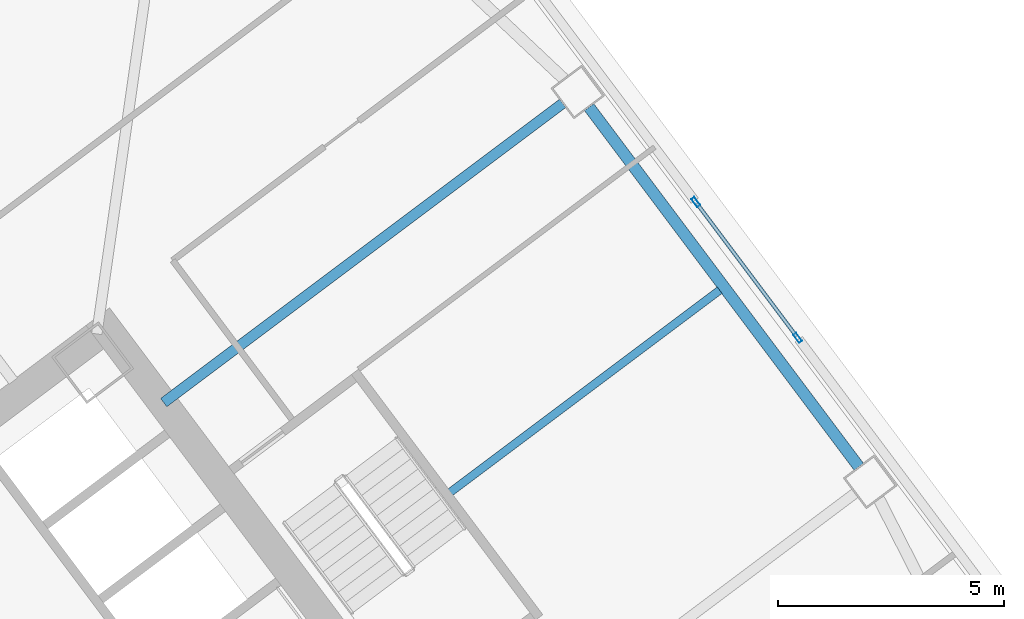
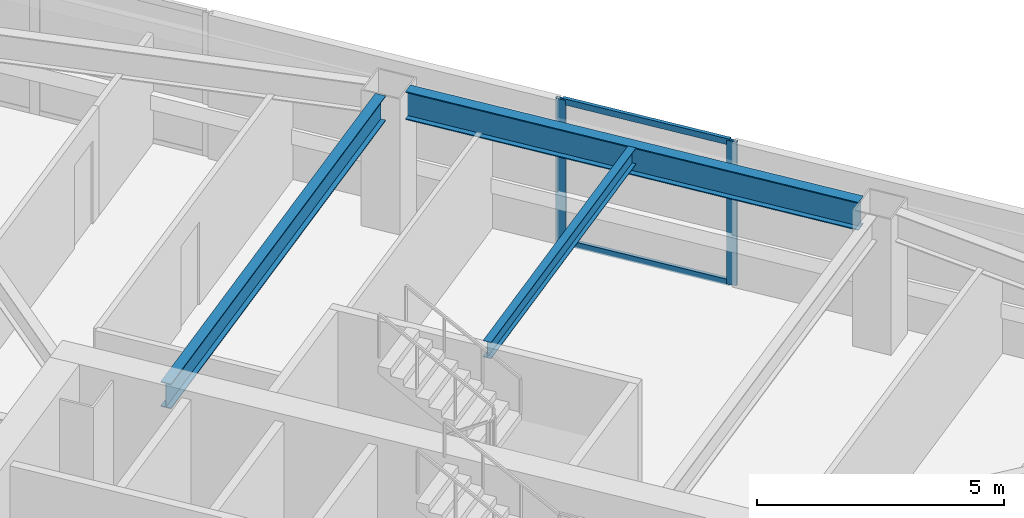
# One storey, part 29 of 44: 4 members, 3 beams, 1 element without a shape of its own.
"""IFC4 building model written with IfcOpenShell, lengths in metres."""

from ifc_helpers import new_model, si_unit, direction, frame, origin, origin_2d, place, context, subcontext, project, spatial, hollow_rectangle, i_section, extrude, material, material_profile, profile_set, type_object, element, aggregate, save


model = new_model("IFC4")

# Units and contexts
model_context = context("Model", 3, precision=1e-05, world=origin(), true_north=direction((0.0, 1.0)))
body_context = subcontext(model_context, "Body", "Model", "MODEL_VIEW")
ifc_project = project(units=[si_unit("LENGTHUNIT", "METRE"), si_unit("AREAUNIT", "SQUARE_METRE"), si_unit("VOLUMEUNIT", "CUBIC_METRE"), si_unit("PLANEANGLEUNIT", "RADIAN"), si_unit("MASSUNIT", "GRAM", prefix="KILO")], contexts=[model_context])

# Site, building, storey
site_placement = place(None, origin())
site = spatial("IfcSite", under=ifc_project, at=site_placement, CompositionType="ELEMENT")
building_placement = place(site_placement, origin())
building = spatial("IfcBuilding", under=site, at=building_placement, Name="Tashvorn Skyway Center", CompositionType="ELEMENT")
storey_placement = place(building_placement, frame((0.0, 0.0, 92.050048828125)))
storey = spatial("IfcBuildingStorey", under=building, at=storey_placement, Name="L24", CompositionType="ELEMENT", Elevation=92.050048828125)

# Beams
ifc_material_1 = material(Name="Steel ASTM A992 Grade 50", Category="steel")
ifc_material_profile_1 = material_profile(ifc_material_1, i_section(OverallWidth=0.22998046875, OverallDepth=0.616943359375, WebThickness=0.01318359375, FlangeThickness=0.022216796875, at=origin_2d()), Name="W24X94")
ifc_profile_set_1 = profile_set([ifc_material_profile_1], Name="Steel ASTM A992 Grade 50")
beam_type_1 = type_object("IfcBeamType", Name="BM-BEAM-W24X94", PredefinedType="BEAM", material=ifc_profile_set_1)
beam_1_placement = place(storey_placement, frame((125.823974609375, 47.617919921875, 3.04150390625), z_axis=(-0.800007953832, -0.599989394744, 0.0), x_axis=(0.599989394744, -0.800007953832, 0.0)))
element("IfcBeam", 1, at=beam_1_placement, inside=storey, type_object=beam_type_1, Name="Tower 2 L24 Primary Floor Girder FC-E2", PredefinedType="BEAM", context=body_context, shape_type="SweptSolid", body=[
    extrude(i_section(OverallWidth=0.22998046875, OverallDepth=0.616943359375, WebThickness=0.01318359375, FlangeThickness=0.022216796875, at=origin_2d()), origin(), (0.0, 0.0, 1.0), 11.050048828125),
])
ifc_material_profile_2 = material_profile(ifc_material_1, i_section(OverallWidth=0.177978515625, OverallDepth=0.406005859375, WebThickness=0.0078125, FlangeThickness=0.0126953125, at=origin_2d()), Name="W16X40")
ifc_profile_set_2 = profile_set([ifc_material_profile_2], Name="Steel ASTM A992 Grade 50")
beam_type_2 = type_object("IfcBeamType", Name="BM-JOIST-W16X40", PredefinedType="JOIST", material=ifc_profile_set_2)
beam_2_placement = place(storey_placement, frame((123.3359375, 39.001953125, 3.14697265625), z_axis=(0.799996072819, 0.600005236206, 0.0), x_axis=(-0.600005236206, 0.799996072819, 0.0)))
element("IfcBeam", 2, at=beam_2_placement, inside=storey, type_object=beam_type_2, Name="Tower 2 L24 Secondary Composite Joist JE", PredefinedType="JOIST", context=body_context, shape_type="SweptSolid", body=[
    extrude(i_section(OverallWidth=0.177978515625, OverallDepth=0.406005859375, WebThickness=0.0078125, FlangeThickness=0.0126953125, at=origin_2d()), origin(), (0.0, 0.0, 1.0), 7.4599609375),
])
ifc_material_profile_3 = material_profile(ifc_material_1, i_section(OverallWidth=0.256103515625, OverallDepth=0.693115234375, WebThickness=0.014404296875, FlangeThickness=0.023681640625, at=origin_2d()), Name="W27X114")
ifc_profile_set_3 = profile_set([ifc_material_profile_3], Name="Steel ASTM A992 Grade 50")
beam_type_3 = type_object("IfcBeamType", Name="BM-SPANDREL-W27X114", PredefinedType="SPANDREL", material=ifc_profile_set_3)
beam_3_placement = place(storey_placement, frame((132.387939453125, 39.56591796875, 3.00341796875), z_axis=(-0.599988234018, 0.800008824351, 0.0), x_axis=(-0.800008824351, -0.599988234018, 0.0)))
element("IfcBeam", 3, at=beam_3_placement, inside=storey, type_object=beam_type_3, Name="Tower 2 L24 Spandrel Beam 05", PredefinedType="SPANDREL", context=body_context, shape_type="SweptSolid", body=[
    extrude(i_section(OverallWidth=0.256103515625, OverallDepth=0.693115234375, WebThickness=0.014404296875, FlangeThickness=0.023681640625, at=origin_2d()), origin(), (0.0, 0.0, 1.0), 9.9599609375),
])

# Curtain wall, members
ifc_material_2 = material(Name="Thermally broken bronze-anodized aluminium 6063-T6", Category="aluminium")
curtain_wall_type = type_object("IfcCurtainWallType", Name="CW-CW-Z2", PredefinedType="NOTDEFINED", material=ifc_material_2)
curtain_wall_placement = place(storey_placement, origin())
curtain_wall = element("IfcCurtainWall", 4, at=curtain_wall_placement, inside=storey, type_object=curtain_wall_type, Name="Tower 2 L24 East Unitised Curtain Wall Glazing Group 2", PredefinedType="NOTDEFINED")
ifc_material_profile_4 = material_profile(ifc_material_2, hollow_rectangle(XDim=0.080078125, YDim=0.219970703125, WallThickness=0.0048828125, at=origin_2d()), Name="ALU-MULL-80x220")
ifc_profile_set_4 = profile_set([ifc_material_profile_4], Name="Thermally broken bronze-anodized aluminium 6063-T6")
member_type_1 = type_object("IfcMemberType", Name="CWM-CW-Z2", PredefinedType="MULLION", material=ifc_profile_set_4)
member_1_placement = place(storey_placement, frame((128.77587890625, 45.431884765625, 0.0), z_axis=(0.0, 0.0, 1.0), x_axis=(0.799999999998, 0.600000000002, 0.0)))
member_1 = element("IfcMember", 5, at=member_1_placement, type_object=member_type_1, Name="CW-Z2 mullion 1", PredefinedType="MULLION", context=body_context, shape_type="SweptSolid", body=[
    extrude(hollow_rectangle(XDim=0.080078125, YDim=0.219970703125, WallThickness=0.0048828125, at=origin_2d()), origin(), (0.0, 0.0, 1.0), 3.550048828125),
])
member_2_placement = place(storey_placement, frame((131.031982421875, 42.424072265625, 0.0), z_axis=(0.0, 0.0, 1.0), x_axis=(0.799999999998, 0.600000000002, 0.0)))
member_2 = element("IfcMember", 6, at=member_2_placement, type_object=member_type_1, Name="CW-Z2 mullion 2", PredefinedType="MULLION", context=body_context, shape_type="SweptSolid", body=[
    extrude(hollow_rectangle(XDim=0.080078125, YDim=0.219970703125, WallThickness=0.0048828125, at=origin_2d()), origin(), (0.0, 0.0, 1.0), 3.550048828125),
])
ifc_material_profile_5 = material_profile(ifc_material_2, hollow_rectangle(XDim=0.080078125, YDim=0.14990234375, WallThickness=0.00439453125, at=origin_2d()), Name="ALU-TRAN-80x150")
ifc_profile_set_5 = profile_set([ifc_material_profile_5], Name="Thermally broken bronze-anodized aluminium 6063-T6")
member_type_2 = type_object("IfcMemberType", Name="CWT-CW-Z2", PredefinedType="USERDEFINED", material=ifc_profile_set_5)
member_3_placement = place(storey_placement, frame((128.800048828125, 45.39990234375, 0.0400390625), z_axis=(0.600021230084, -0.799984076997, 0.0), x_axis=(0.799984076997, 0.600021230084, 0.0)))
member_3 = element("IfcMember", 7, at=member_3_placement, type_object=member_type_2, Name="CW-Z2 transom 1.1", ObjectType="TRANSOM", PredefinedType="USERDEFINED", context=body_context, shape_type="SweptSolid", body=[
    extrude(hollow_rectangle(XDim=0.080078125, YDim=0.14990234375, WallThickness=0.00439453125, at=origin_2d()), origin(), (0.0, 0.0, 1.0), 3.679931640625),
])
member_4_placement = place(storey_placement, frame((128.800048828125, 45.39990234375, 3.510009765625), z_axis=(0.600021230084, -0.799984076997, 0.0), x_axis=(0.799984076997, 0.600021230084, 0.0)))
member_4 = element("IfcMember", 8, at=member_4_placement, type_object=member_type_2, Name="CW-Z2 transom 1.2", ObjectType="TRANSOM", PredefinedType="USERDEFINED", context=body_context, shape_type="SweptSolid", body=[
    extrude(hollow_rectangle(XDim=0.080078125, YDim=0.14990234375, WallThickness=0.00439453125, at=origin_2d()), origin(), (0.0, 0.0, 1.0), 3.679931640625),
])
aggregate(curtain_wall, [member_1, member_2, member_3, member_4])

save(model, "model.ifc")
